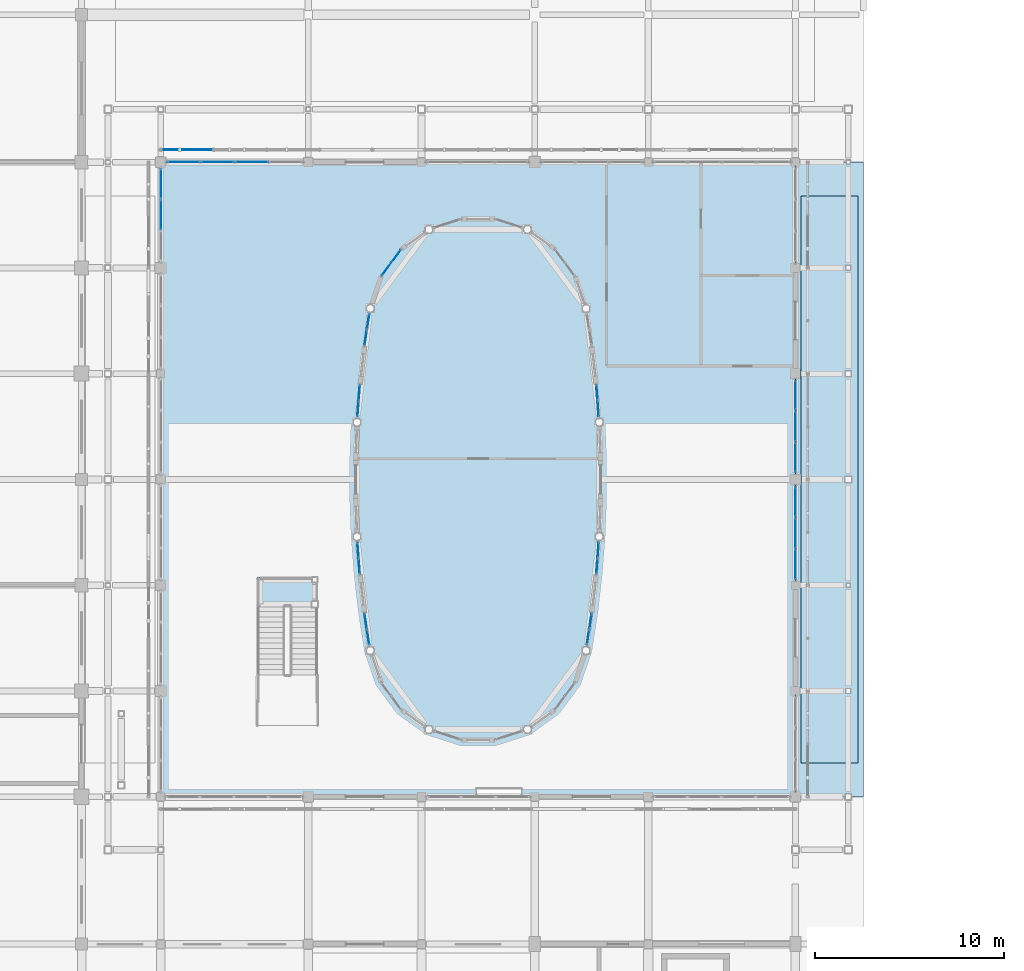
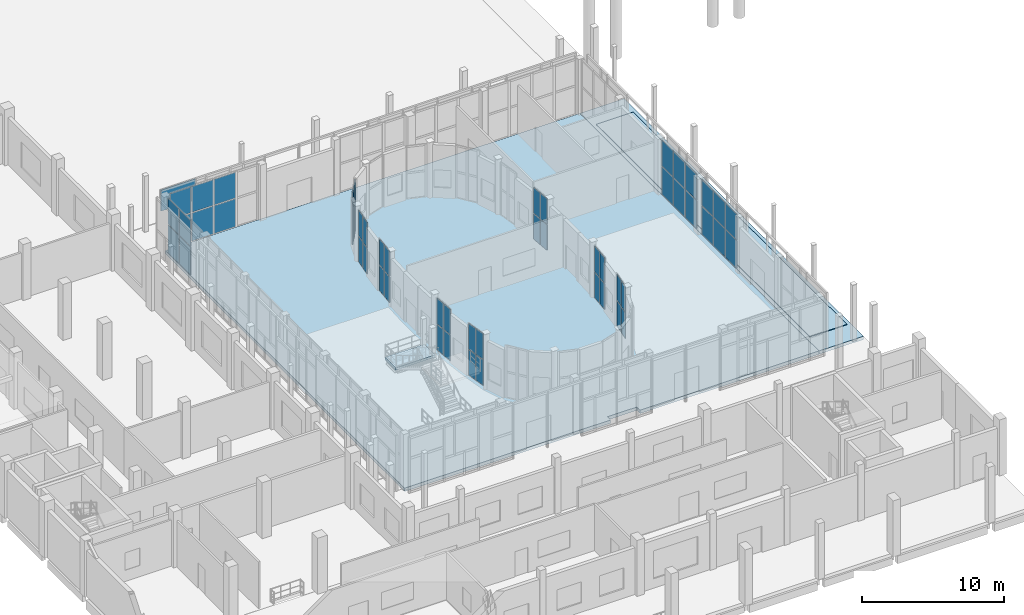
# One storey, part 56 of 91: 55 plates, 4 slabs, 13 elements without a shape of their own.
"""IFC4 building model written with IfcOpenShell, lengths in metres."""

from ifc_helpers import new_model, si_unit, direction, frame, origin, origin_2d, place, context, subcontext, project, spatial, polyline, rectangle, outline, extrude, material, layer, layer_set, type_object, element, aggregate, save


model = new_model("IFC4")

# Units and contexts
model_context = context("Model", 3, precision=1e-05, world=origin(), true_north=direction((0.0, 1.0)))
body_context = subcontext(model_context, "Body", "Model", "MODEL_VIEW")
ifc_project = project(units=[si_unit("LENGTHUNIT", "METRE"), si_unit("AREAUNIT", "SQUARE_METRE"), si_unit("VOLUMEUNIT", "CUBIC_METRE"), si_unit("PLANEANGLEUNIT", "RADIAN"), si_unit("MASSUNIT", "GRAM", prefix="KILO")], contexts=[model_context])

# Site, building, storey
site_placement = place(None, origin())
site = spatial("IfcSite", under=ifc_project, at=site_placement, CompositionType="ELEMENT")
building_placement = place(site_placement, origin())
building = spatial("IfcBuilding", under=site, at=building_placement, Name="Vinh Khe Railworks Police Headquarters", CompositionType="ELEMENT")
storey_placement = place(building_placement, origin())
storey = spatial("IfcBuildingStorey", under=building, at=storey_placement, Name="L00", CompositionType="ELEMENT", Elevation=0.0)

# Curtain wall, plates
ifc_material_1 = material(Name="Anodised aluminium and acoustic laminated glass", Category="aluminium")
ifc_layer_1 = layer(ifc_material_1, 0.159912109375)
ifc_layer_set_1 = layer_set([ifc_layer_1], Name="Anodised aluminium and acoustic laminated glass")
curtain_wall_type_1 = type_object("IfcCurtainWallType", Name="CW-DRUM-CHORD", PredefinedType="USERDEFINED", material=ifc_layer_set_1)
curtain_wall_1_placement = place(storey_placement, origin())
curtain_wall_1 = element("IfcCurtainWall", 1, at=curtain_wall_1_placement, inside=storey, type_object=curtain_wall_type_1, Name="Elliptical Command Drum Glazing L00 Chord 1", ObjectType="DRUM FACADE GLAZING", PredefinedType="USERDEFINED")
ifc_material_2 = material(Name="Acoustic laminated solar-control glass", Category="glass")
ifc_layer_2 = layer(ifc_material_2, 0.031982421875)
ifc_layer_set_2 = layer_set([ifc_layer_2], Name="Acoustic laminated solar-control glass")
plate_type_1 = type_object("IfcPlateType", Name="PAN-DRUM-32", PredefinedType="CURTAIN_PANEL", material=ifc_layer_set_2)
plate_1_placement = place(storey_placement, frame((49.021728515625, 33.64404296875, 0.06494140625), z_axis=(0.0, 0.0, 1.0), x_axis=(0.153491365117, 0.988149989037, 0.0)))
plate_1 = element("IfcPlate", 2, at=plate_1_placement, type_object=plate_type_1, Name="CW-02 panel 1.1", PredefinedType="CURTAIN_PANEL", context=body_context, shape_type="SweptSolid", body=[
    extrude(rectangle(XDim=0.78955078125, YDim=0.031982421875, at=origin_2d()), origin(), (0.0, 0.0, 1.0), 2.177490234375),
])
plate_2_placement = place(storey_placement, frame((49.021728515625, 33.64404296875, 2.3076171875), z_axis=(0.0, 0.0, 1.0), x_axis=(0.153491365117, 0.988149989037, 0.0)))
plate_2 = element("IfcPlate", 3, at=plate_2_placement, type_object=plate_type_1, Name="CW-02 panel 1.2", PredefinedType="CURTAIN_PANEL", context=body_context, shape_type="SweptSolid", body=[
    extrude(rectangle(XDim=0.78955078125, YDim=0.031982421875, at=origin_2d()), origin(), (0.0, 0.0, 1.0), 2.177490234375),
])
plate_3_placement = place(storey_placement, frame((49.15283203125, 34.48828125, 0.06494140625), z_axis=(0.0, 0.0, 1.0), x_axis=(0.153491365117, 0.988149989037, 0.0)))
plate_3 = element("IfcPlate", 4, at=plate_3_placement, type_object=plate_type_1, Name="CW-02 panel 2.1", PredefinedType="CURTAIN_PANEL", context=body_context, shape_type="SweptSolid", body=[
    extrude(rectangle(XDim=0.78955078125, YDim=0.031982421875, at=origin_2d()), origin(), (0.0, 0.0, 1.0), 2.177490234375),
])
plate_4_placement = place(storey_placement, frame((49.15283203125, 34.48828125, 2.3076171875), z_axis=(0.0, 0.0, 1.0), x_axis=(0.153491365117, 0.988149989037, 0.0)))
plate_4 = element("IfcPlate", 5, at=plate_4_placement, type_object=plate_type_1, Name="CW-02 panel 2.2", PredefinedType="CURTAIN_PANEL", context=body_context, shape_type="SweptSolid", body=[
    extrude(rectangle(XDim=0.78955078125, YDim=0.031982421875, at=origin_2d()), origin(), (0.0, 0.0, 1.0), 2.177490234375),
])
aggregate(curtain_wall_1, [plate_1, plate_2, plate_3, plate_4])

curtain_wall_2_placement = place(storey_placement, origin())
curtain_wall_2 = element("IfcCurtainWall", 6, at=curtain_wall_2_placement, inside=storey, type_object=curtain_wall_type_1, Name="Elliptical Command Drum Glazing L00 Chord 3", ObjectType="DRUM FACADE GLAZING", PredefinedType="USERDEFINED")
plate_5_placement = place(storey_placement, frame((49.4921875, 37.409912109375, 0.06494140625), z_axis=(0.0, 0.0, 1.0), x_axis=(0.076970231448, 0.997033391352, 0.0)))
plate_5 = element("IfcPlate", 7, at=plate_5_placement, type_object=plate_type_1, Name="CW-02 panel 1.1", PredefinedType="CURTAIN_PANEL", context=body_context, shape_type="SweptSolid", body=[
    extrude(rectangle(XDim=0.78955078125, YDim=0.031982421875, at=origin_2d()), origin(), (0.0, 0.0, 1.0), 2.177490234375),
])
plate_6_placement = place(storey_placement, frame((49.4921875, 37.409912109375, 2.3076171875), z_axis=(0.0, 0.0, 1.0), x_axis=(0.076970231448, 0.997033391352, 0.0)))
plate_6 = element("IfcPlate", 8, at=plate_6_placement, type_object=plate_type_1, Name="CW-02 panel 1.2", PredefinedType="CURTAIN_PANEL", context=body_context, shape_type="SweptSolid", body=[
    extrude(rectangle(XDim=0.78955078125, YDim=0.031982421875, at=origin_2d()), origin(), (0.0, 0.0, 1.0), 2.177490234375),
])
plate_7_placement = place(storey_placement, frame((49.557861328125, 38.26171875, 0.06494140625), z_axis=(0.0, 0.0, 1.0), x_axis=(0.076970231448, 0.997033391352, 0.0)))
plate_7 = element("IfcPlate", 9, at=plate_7_placement, type_object=plate_type_1, Name="CW-02 panel 2.1", PredefinedType="CURTAIN_PANEL", context=body_context, shape_type="SweptSolid", body=[
    extrude(rectangle(XDim=0.78955078125, YDim=0.031982421875, at=origin_2d()), origin(), (0.0, 0.0, 1.0), 2.177490234375),
])
plate_8_placement = place(storey_placement, frame((49.557861328125, 38.26171875, 2.3076171875), z_axis=(0.0, 0.0, 1.0), x_axis=(0.076970231448, 0.997033391352, 0.0)))
plate_8 = element("IfcPlate", 10, at=plate_8_placement, type_object=plate_type_1, Name="CW-02 panel 2.2", PredefinedType="CURTAIN_PANEL", context=body_context, shape_type="SweptSolid", body=[
    extrude(rectangle(XDim=0.78955078125, YDim=0.031982421875, at=origin_2d()), origin(), (0.0, 0.0, 1.0), 2.177490234375),
])
aggregate(curtain_wall_2, [plate_5, plate_6, plate_7, plate_8])

curtain_wall_3_placement = place(storey_placement, origin())
curtain_wall_3 = element("IfcCurtainWall", 11, at=curtain_wall_3_placement, inside=storey, type_object=curtain_wall_type_1, Name="Elliptical Command Drum Glazing L00 Chord 7", ObjectType="DRUM FACADE GLAZING", PredefinedType="USERDEFINED")
plate_9_placement = place(storey_placement, frame((49.557861328125, 45.73828125, 0.06494140625), z_axis=(0.0, 0.0, 1.0), x_axis=(-0.076970231448, 0.997033391352, 0.0)))
plate_9 = element("IfcPlate", 12, at=plate_9_placement, type_object=plate_type_1, Name="CW-02 panel 1.1", PredefinedType="CURTAIN_PANEL", context=body_context, shape_type="SweptSolid", body=[
    extrude(rectangle(XDim=0.78955078125, YDim=0.031982421875, at=origin_2d()), origin(), (0.0, 0.0, 1.0), 2.177490234375),
])
plate_10_placement = place(storey_placement, frame((49.557861328125, 45.73828125, 2.3076171875), z_axis=(0.0, 0.0, 1.0), x_axis=(-0.076970231448, 0.997033391352, 0.0)))
plate_10 = element("IfcPlate", 13, at=plate_10_placement, type_object=plate_type_1, Name="CW-02 panel 1.2", PredefinedType="CURTAIN_PANEL", context=body_context, shape_type="SweptSolid", body=[
    extrude(rectangle(XDim=0.78955078125, YDim=0.031982421875, at=origin_2d()), origin(), (0.0, 0.0, 1.0), 2.177490234375),
])
plate_11_placement = place(storey_placement, frame((49.4921875, 46.590087890625, 0.06494140625), z_axis=(0.0, 0.0, 1.0), x_axis=(-0.076970231448, 0.997033391352, 0.0)))
plate_11 = element("IfcPlate", 14, at=plate_11_placement, type_object=plate_type_1, Name="CW-02 panel 2.1", PredefinedType="CURTAIN_PANEL", context=body_context, shape_type="SweptSolid", body=[
    extrude(rectangle(XDim=0.78955078125, YDim=0.031982421875, at=origin_2d()), origin(), (0.0, 0.0, 1.0), 2.177490234375),
])
plate_12_placement = place(storey_placement, frame((49.4921875, 46.590087890625, 2.3076171875), z_axis=(0.0, 0.0, 1.0), x_axis=(-0.076970231448, 0.997033391352, 0.0)))
plate_12 = element("IfcPlate", 15, at=plate_12_placement, type_object=plate_type_1, Name="CW-02 panel 2.2", PredefinedType="CURTAIN_PANEL", context=body_context, shape_type="SweptSolid", body=[
    extrude(rectangle(XDim=0.78955078125, YDim=0.031982421875, at=origin_2d()), origin(), (0.0, 0.0, 1.0), 2.177490234375),
])
aggregate(curtain_wall_3, [plate_9, plate_10, plate_11, plate_12])

curtain_wall_4_placement = place(storey_placement, origin())
curtain_wall_4 = element("IfcCurtainWall", 16, at=curtain_wall_4_placement, inside=storey, type_object=curtain_wall_type_1, Name="Elliptical Command Drum Glazing L00 Chord 17", ObjectType="DRUM FACADE GLAZING", PredefinedType="USERDEFINED")
plate_13_placement = place(storey_placement, frame((38.85888671875, 53.820556640625, 0.06494140625), z_axis=(0.0, 0.0, 1.0), x_axis=(-0.596528425784, -0.802591949394, 0.0)))
plate_13 = element("IfcPlate", 17, at=plate_13_placement, type_object=plate_type_1, Name="CW-02 panel 1.1", PredefinedType="CURTAIN_PANEL", context=body_context, shape_type="SweptSolid", body=[
    extrude(rectangle(XDim=0.799560546875, YDim=0.031982421875, at=origin_2d()), origin(), (0.0, 0.0, 1.0), 2.177490234375),
])
plate_14_placement = place(storey_placement, frame((38.85888671875, 53.820556640625, 2.3076171875), z_axis=(0.0, 0.0, 1.0), x_axis=(-0.596528425784, -0.802591949394, 0.0)))
plate_14 = element("IfcPlate", 18, at=plate_14_placement, type_object=plate_type_1, Name="CW-02 panel 1.2", PredefinedType="CURTAIN_PANEL", context=body_context, shape_type="SweptSolid", body=[
    extrude(rectangle(XDim=0.799560546875, YDim=0.031982421875, at=origin_2d()), origin(), (0.0, 0.0, 1.0), 2.177490234375),
])
plate_15_placement = place(storey_placement, frame((38.34326171875, 53.126708984375, 0.06494140625), z_axis=(0.0, 0.0, 1.0), x_axis=(-0.596528425784, -0.802591949394, 0.0)))
plate_15 = element("IfcPlate", 19, at=plate_15_placement, type_object=plate_type_1, Name="CW-02 panel 2.1", PredefinedType="CURTAIN_PANEL", context=body_context, shape_type="SweptSolid", body=[
    extrude(rectangle(XDim=0.799560546875, YDim=0.031982421875, at=origin_2d()), origin(), (0.0, 0.0, 1.0), 2.177490234375),
])
plate_16_placement = place(storey_placement, frame((38.34326171875, 53.126708984375, 2.3076171875), z_axis=(0.0, 0.0, 1.0), x_axis=(-0.596528425784, -0.802591949394, 0.0)))
plate_16 = element("IfcPlate", 20, at=plate_16_placement, type_object=plate_type_1, Name="CW-02 panel 2.2", PredefinedType="CURTAIN_PANEL", context=body_context, shape_type="SweptSolid", body=[
    extrude(rectangle(XDim=0.799560546875, YDim=0.031982421875, at=origin_2d()), origin(), (0.0, 0.0, 1.0), 2.177490234375),
])
aggregate(curtain_wall_4, [plate_13, plate_14, plate_15, plate_16])

curtain_wall_5_placement = place(storey_placement, origin())
curtain_wall_5 = element("IfcCurtainWall", 21, at=curtain_wall_5_placement, inside=storey, type_object=curtain_wall_type_1, Name="Elliptical Command Drum Glazing L00 Chord 19", ObjectType="DRUM FACADE GLAZING", PredefinedType="USERDEFINED")
plate_17_placement = place(storey_placement, frame((37.378173828125, 50.35595703125, 0.06494140625), z_axis=(0.0, 0.0, 1.0), x_axis=(-0.153491365117, -0.988149989037, 0.0)))
plate_17 = element("IfcPlate", 22, at=plate_17_placement, type_object=plate_type_1, Name="CW-02 panel 1.1", PredefinedType="CURTAIN_PANEL", context=body_context, shape_type="SweptSolid", body=[
    extrude(rectangle(XDim=0.78955078125, YDim=0.031982421875, at=origin_2d()), origin(), (0.0, 0.0, 1.0), 2.177490234375),
])
plate_18_placement = place(storey_placement, frame((37.378173828125, 50.35595703125, 2.3076171875), z_axis=(0.0, 0.0, 1.0), x_axis=(-0.153491365117, -0.988149989037, 0.0)))
plate_18 = element("IfcPlate", 23, at=plate_18_placement, type_object=plate_type_1, Name="CW-02 panel 1.2", PredefinedType="CURTAIN_PANEL", context=body_context, shape_type="SweptSolid", body=[
    extrude(rectangle(XDim=0.78955078125, YDim=0.031982421875, at=origin_2d()), origin(), (0.0, 0.0, 1.0), 2.177490234375),
])
plate_19_placement = place(storey_placement, frame((37.2470703125, 49.51171875, 0.06494140625), z_axis=(0.0, 0.0, 1.0), x_axis=(-0.153491365117, -0.988149989037, 0.0)))
plate_19 = element("IfcPlate", 24, at=plate_19_placement, type_object=plate_type_1, Name="CW-02 panel 2.1", PredefinedType="CURTAIN_PANEL", context=body_context, shape_type="SweptSolid", body=[
    extrude(rectangle(XDim=0.78955078125, YDim=0.031982421875, at=origin_2d()), origin(), (0.0, 0.0, 1.0), 2.177490234375),
])
plate_20_placement = place(storey_placement, frame((37.2470703125, 49.51171875, 2.3076171875), z_axis=(0.0, 0.0, 1.0), x_axis=(-0.153491365117, -0.988149989037, 0.0)))
plate_20 = element("IfcPlate", 25, at=plate_20_placement, type_object=plate_type_1, Name="CW-02 panel 2.2", PredefinedType="CURTAIN_PANEL", context=body_context, shape_type="SweptSolid", body=[
    extrude(rectangle(XDim=0.78955078125, YDim=0.031982421875, at=origin_2d()), origin(), (0.0, 0.0, 1.0), 2.177490234375),
])
aggregate(curtain_wall_5, [plate_17, plate_18, plate_19, plate_20])

curtain_wall_6_placement = place(storey_placement, origin())
curtain_wall_6 = element("IfcCurtainWall", 26, at=curtain_wall_6_placement, inside=storey, type_object=curtain_wall_type_1, Name="Elliptical Command Drum Glazing L00 Chord 21", ObjectType="DRUM FACADE GLAZING", PredefinedType="USERDEFINED")
plate_21_placement = place(storey_placement, frame((36.907958984375, 46.590087890625, 0.06494140625), z_axis=(0.0, 0.0, 1.0), x_axis=(-0.076970231448, -0.997033391352, 0.0)))
plate_21 = element("IfcPlate", 27, at=plate_21_placement, type_object=plate_type_1, Name="CW-02 panel 1.1", PredefinedType="CURTAIN_PANEL", context=body_context, shape_type="SweptSolid", body=[
    extrude(rectangle(XDim=0.78955078125, YDim=0.031982421875, at=origin_2d()), origin(), (0.0, 0.0, 1.0), 2.177490234375),
])
plate_22_placement = place(storey_placement, frame((36.907958984375, 46.590087890625, 2.3076171875), z_axis=(0.0, 0.0, 1.0), x_axis=(-0.076970231448, -0.997033391352, 0.0)))
plate_22 = element("IfcPlate", 28, at=plate_22_placement, type_object=plate_type_1, Name="CW-02 panel 1.2", PredefinedType="CURTAIN_PANEL", context=body_context, shape_type="SweptSolid", body=[
    extrude(rectangle(XDim=0.78955078125, YDim=0.031982421875, at=origin_2d()), origin(), (0.0, 0.0, 1.0), 2.177490234375),
])
plate_23_placement = place(storey_placement, frame((36.842041015625, 45.73828125, 0.06494140625), z_axis=(0.0, 0.0, 1.0), x_axis=(-0.076970231448, -0.997033391352, 0.0)))
plate_23 = element("IfcPlate", 29, at=plate_23_placement, type_object=plate_type_1, Name="CW-02 panel 2.1", PredefinedType="CURTAIN_PANEL", context=body_context, shape_type="SweptSolid", body=[
    extrude(rectangle(XDim=0.78955078125, YDim=0.031982421875, at=origin_2d()), origin(), (0.0, 0.0, 1.0), 2.177490234375),
])
plate_24_placement = place(storey_placement, frame((36.842041015625, 45.73828125, 2.3076171875), z_axis=(0.0, 0.0, 1.0), x_axis=(-0.076970231448, -0.997033391352, 0.0)))
plate_24 = element("IfcPlate", 30, at=plate_24_placement, type_object=plate_type_1, Name="CW-02 panel 2.2", PredefinedType="CURTAIN_PANEL", context=body_context, shape_type="SweptSolid", body=[
    extrude(rectangle(XDim=0.78955078125, YDim=0.031982421875, at=origin_2d()), origin(), (0.0, 0.0, 1.0), 2.177490234375),
])
aggregate(curtain_wall_6, [plate_21, plate_22, plate_23, plate_24])

curtain_wall_7_placement = place(storey_placement, origin())
curtain_wall_7 = element("IfcCurtainWall", 31, at=curtain_wall_7_placement, inside=storey, type_object=curtain_wall_type_1, Name="Elliptical Command Drum Glazing L00 Chord 25", ObjectType="DRUM FACADE GLAZING", PredefinedType="USERDEFINED")
plate_25_placement = place(storey_placement, frame((36.842041015625, 38.26171875, 0.06494140625), z_axis=(0.0, 0.0, 1.0), x_axis=(0.076970231448, -0.997033391352, 0.0)))
plate_25 = element("IfcPlate", 32, at=plate_25_placement, type_object=plate_type_1, Name="CW-02 panel 1.1", PredefinedType="CURTAIN_PANEL", context=body_context, shape_type="SweptSolid", body=[
    extrude(rectangle(XDim=0.78955078125, YDim=0.031982421875, at=origin_2d()), origin(), (0.0, 0.0, 1.0), 2.177490234375),
])
plate_26_placement = place(storey_placement, frame((36.842041015625, 38.26171875, 2.3076171875), z_axis=(0.0, 0.0, 1.0), x_axis=(0.076970231448, -0.997033391352, 0.0)))
plate_26 = element("IfcPlate", 33, at=plate_26_placement, type_object=plate_type_1, Name="CW-02 panel 1.2", PredefinedType="CURTAIN_PANEL", context=body_context, shape_type="SweptSolid", body=[
    extrude(rectangle(XDim=0.78955078125, YDim=0.031982421875, at=origin_2d()), origin(), (0.0, 0.0, 1.0), 2.177490234375),
])
plate_27_placement = place(storey_placement, frame((36.907958984375, 37.409912109375, 0.06494140625), z_axis=(0.0, 0.0, 1.0), x_axis=(0.076970231448, -0.997033391352, 0.0)))
plate_27 = element("IfcPlate", 34, at=plate_27_placement, type_object=plate_type_1, Name="CW-02 panel 2.1", PredefinedType="CURTAIN_PANEL", context=body_context, shape_type="SweptSolid", body=[
    extrude(rectangle(XDim=0.78955078125, YDim=0.031982421875, at=origin_2d()), origin(), (0.0, 0.0, 1.0), 2.177490234375),
])
plate_28_placement = place(storey_placement, frame((36.907958984375, 37.409912109375, 2.3076171875), z_axis=(0.0, 0.0, 1.0), x_axis=(0.076970231448, -0.997033391352, 0.0)))
plate_28 = element("IfcPlate", 35, at=plate_28_placement, type_object=plate_type_1, Name="CW-02 panel 2.2", PredefinedType="CURTAIN_PANEL", context=body_context, shape_type="SweptSolid", body=[
    extrude(rectangle(XDim=0.78955078125, YDim=0.031982421875, at=origin_2d()), origin(), (0.0, 0.0, 1.0), 2.177490234375),
])
aggregate(curtain_wall_7, [plate_25, plate_26, plate_27, plate_28])

curtain_wall_8_placement = place(storey_placement, origin())
curtain_wall_8 = element("IfcCurtainWall", 36, at=curtain_wall_8_placement, inside=storey, type_object=curtain_wall_type_1, Name="Elliptical Command Drum Glazing L00 Chord 27", ObjectType="DRUM FACADE GLAZING", PredefinedType="USERDEFINED")
plate_29_placement = place(storey_placement, frame((37.2470703125, 34.48828125, 0.06494140625), z_axis=(0.0, 0.0, 1.0), x_axis=(0.153491365117, -0.988149989037, 0.0)))
plate_29 = element("IfcPlate", 37, at=plate_29_placement, type_object=plate_type_1, Name="CW-02 panel 1.1", PredefinedType="CURTAIN_PANEL", context=body_context, shape_type="SweptSolid", body=[
    extrude(rectangle(XDim=0.78955078125, YDim=0.031982421875, at=origin_2d()), origin(), (0.0, 0.0, 1.0), 2.177490234375),
])
plate_30_placement = place(storey_placement, frame((37.2470703125, 34.48828125, 2.3076171875), z_axis=(0.0, 0.0, 1.0), x_axis=(0.153491365117, -0.988149989037, 0.0)))
plate_30 = element("IfcPlate", 38, at=plate_30_placement, type_object=plate_type_1, Name="CW-02 panel 1.2", PredefinedType="CURTAIN_PANEL", context=body_context, shape_type="SweptSolid", body=[
    extrude(rectangle(XDim=0.78955078125, YDim=0.031982421875, at=origin_2d()), origin(), (0.0, 0.0, 1.0), 2.177490234375),
])
plate_31_placement = place(storey_placement, frame((37.378173828125, 33.64404296875, 0.06494140625), z_axis=(0.0, 0.0, 1.0), x_axis=(0.153491365117, -0.988149989037, 0.0)))
plate_31 = element("IfcPlate", 39, at=plate_31_placement, type_object=plate_type_1, Name="CW-02 panel 2.1", PredefinedType="CURTAIN_PANEL", context=body_context, shape_type="SweptSolid", body=[
    extrude(rectangle(XDim=0.78955078125, YDim=0.031982421875, at=origin_2d()), origin(), (0.0, 0.0, 1.0), 2.177490234375),
])
plate_32_placement = place(storey_placement, frame((37.378173828125, 33.64404296875, 2.3076171875), z_axis=(0.0, 0.0, 1.0), x_axis=(0.153491365117, -0.988149989037, 0.0)))
plate_32 = element("IfcPlate", 40, at=plate_32_placement, type_object=plate_type_1, Name="CW-02 panel 2.2", PredefinedType="CURTAIN_PANEL", context=body_context, shape_type="SweptSolid", body=[
    extrude(rectangle(XDim=0.78955078125, YDim=0.031982421875, at=origin_2d()), origin(), (0.0, 0.0, 1.0), 2.177490234375),
])
aggregate(curtain_wall_8, [plate_29, plate_30, plate_31, plate_32])

ifc_material_3 = material(Name="Anodised aluminium and low-iron glass", Category="aluminium")
ifc_layer_3 = layer(ifc_material_3, 0.179931640625)
ifc_layer_set_3 = layer_set([ifc_layer_3], Name="Anodised aluminium and low-iron glass")
curtain_wall_type_2 = type_object("IfcCurtainWallType", Name="CW-CUBE-UNIT", PredefinedType="USERDEFINED", material=ifc_layer_set_3)
curtain_wall_9_placement = place(storey_placement, origin())
curtain_wall_9 = element("IfcCurtainWall", 41, at=curtain_wall_9_placement, inside=storey, type_object=curtain_wall_type_2, Name="Entrance Hall Curtain Wall L00 N-1", ObjectType="UNITISED GLAZING", PredefinedType="USERDEFINED")
ifc_material_4 = material(Name="Low-iron laminated solar-control glass", Category="glass")
ifc_layer_4 = layer(ifc_material_4, 0.028076171875)
ifc_layer_set_4 = layer_set([ifc_layer_4], Name="Low-iron laminated solar-control glass")
plate_type_2 = type_object("IfcPlateType", Name="PAN-GLZ-28", PredefinedType="CURTAIN_PANEL", material=ifc_layer_set_4)
plate_33_placement = place(storey_placement, frame((27.616943359375, 58.800048828125, 0.06982421875), z_axis=(0.0, 0.0, 1.0), x_axis=(1.0, 0.0, 0.0)))
plate_33 = element("IfcPlate", 42, at=plate_33_placement, type_object=plate_type_2, Name="CW-01 panel 1.1", PredefinedType="CURTAIN_PANEL", context=body_context, shape_type="SweptSolid", body=[
    extrude(rectangle(XDim=1.703857421875, YDim=0.028076171875, at=origin_2d()), origin(), (0.0, 0.0, 1.0), 2.39111328125),
])
plate_34_placement = place(storey_placement, frame((27.616943359375, 58.800048828125, 2.53125), z_axis=(0.0, 0.0, 1.0), x_axis=(1.0, 0.0, 0.0)))
plate_34 = element("IfcPlate", 43, at=plate_34_placement, type_object=plate_type_2, Name="CW-01 panel 1.2", PredefinedType="CURTAIN_PANEL", context=body_context, shape_type="SweptSolid", body=[
    extrude(rectangle(XDim=1.703857421875, YDim=0.028076171875, at=origin_2d()), origin(), (0.0, 0.0, 1.0), 2.198974609375),
])
plate_35_placement = place(storey_placement, frame((29.408203125, 58.800048828125, 0.06982421875), z_axis=(0.0, 0.0, 1.0), x_axis=(1.0, 0.0, 0.0)))
plate_35 = element("IfcPlate", 44, at=plate_35_placement, type_object=plate_type_2, Name="CW-01 panel 2.1", PredefinedType="CURTAIN_PANEL", context=body_context, shape_type="SweptSolid", body=[
    extrude(rectangle(XDim=1.73876953125, YDim=0.028076171875, at=origin_2d()), origin(), (0.0, 0.0, 1.0), 2.39111328125),
])
plate_36_placement = place(storey_placement, frame((29.408203125, 58.800048828125, 2.53125), z_axis=(0.0, 0.0, 1.0), x_axis=(1.0, 0.0, 0.0)))
plate_36 = element("IfcPlate", 45, at=plate_36_placement, type_object=plate_type_2, Name="CW-01 panel 2.2", PredefinedType="CURTAIN_PANEL", context=body_context, shape_type="SweptSolid", body=[
    extrude(rectangle(XDim=1.73876953125, YDim=0.028076171875, at=origin_2d()), origin(), (0.0, 0.0, 1.0), 2.198974609375),
])
plate_37_placement = place(storey_placement, frame((31.216796875, 58.800048828125, 0.06982421875), z_axis=(0.0, 0.0, 1.0), x_axis=(1.0, 0.0, 0.0)))
plate_37 = element("IfcPlate", 46, at=plate_37_placement, type_object=plate_type_2, Name="CW-01 panel 3.1", PredefinedType="CURTAIN_PANEL", context=body_context, shape_type="SweptSolid", body=[
    extrude(rectangle(XDim=1.73876953125, YDim=0.028076171875, at=origin_2d()), origin(), (0.0, 0.0, 1.0), 2.39111328125),
])
plate_38_placement = place(storey_placement, frame((31.216796875, 58.800048828125, 2.53125), z_axis=(0.0, 0.0, 1.0), x_axis=(1.0, 0.0, 0.0)))
plate_38 = element("IfcPlate", 47, at=plate_38_placement, type_object=plate_type_2, Name="CW-01 panel 3.2", PredefinedType="CURTAIN_PANEL", context=body_context, shape_type="SweptSolid", body=[
    extrude(rectangle(XDim=1.73876953125, YDim=0.028076171875, at=origin_2d()), origin(), (0.0, 0.0, 1.0), 2.198974609375),
])
aggregate(curtain_wall_9, [plate_33, plate_34, plate_35, plate_36, plate_37, plate_38])

curtain_wall_10_placement = place(storey_placement, origin())
curtain_wall_10 = element("IfcCurtainWall", 48, at=curtain_wall_10_placement, inside=storey, type_object=curtain_wall_type_2, Name="Entrance Hall Curtain Wall L00 E-3", ObjectType="UNITISED GLAZING", PredefinedType="USERDEFINED")
plate_39_placement = place(storey_placement, frame((60.0, 37.501708984375, 0.06982421875), z_axis=(0.0, 0.0, 1.0), x_axis=(0.0, 1.0, 0.0)))
plate_39 = element("IfcPlate", 49, at=plate_39_placement, type_object=plate_type_2, Name="CW-01 panel 1.1", PredefinedType="CURTAIN_PANEL", context=body_context, shape_type="SweptSolid", body=[
    extrude(rectangle(XDim=1.5732421875, YDim=0.028076171875, at=origin_2d()), origin(), (0.0, 0.0, 1.0), 2.39111328125),
])
plate_40_placement = place(storey_placement, frame((60.0, 37.501708984375, 2.53125), z_axis=(0.0, 0.0, 1.0), x_axis=(0.0, 1.0, 0.0)))
plate_40 = element("IfcPlate", 50, at=plate_40_placement, type_object=plate_type_2, Name="CW-01 panel 1.2", PredefinedType="CURTAIN_PANEL", context=body_context, shape_type="SweptSolid", body=[
    extrude(rectangle(XDim=1.5732421875, YDim=0.028076171875, at=origin_2d()), origin(), (0.0, 0.0, 1.0), 2.198974609375),
])
plate_41_placement = place(storey_placement, frame((60.0, 39.16259765625, 0.06982421875), z_axis=(0.0, 0.0, 1.0), x_axis=(0.0, 1.0, 0.0)))
plate_41 = element("IfcPlate", 51, at=plate_41_placement, type_object=plate_type_2, Name="CW-01 panel 2.1", PredefinedType="CURTAIN_PANEL", context=body_context, shape_type="SweptSolid", body=[
    extrude(rectangle(XDim=1.6083984375, YDim=0.028076171875, at=origin_2d()), origin(), (0.0, 0.0, 1.0), 2.39111328125),
])
plate_42_placement = place(storey_placement, frame((60.0, 39.16259765625, 2.53125), z_axis=(0.0, 0.0, 1.0), x_axis=(0.0, 1.0, 0.0)))
plate_42 = element("IfcPlate", 52, at=plate_42_placement, type_object=plate_type_2, Name="CW-01 panel 2.2", PredefinedType="CURTAIN_PANEL", context=body_context, shape_type="SweptSolid", body=[
    extrude(rectangle(XDim=1.6083984375, YDim=0.028076171875, at=origin_2d()), origin(), (0.0, 0.0, 1.0), 2.198974609375),
])
plate_43_placement = place(storey_placement, frame((60.0, 40.8232421875, 0.06982421875), z_axis=(0.0, 0.0, 1.0), x_axis=(0.0, 1.0, 0.0)))
plate_43 = element("IfcPlate", 53, at=plate_43_placement, type_object=plate_type_2, Name="CW-01 panel 3.1", PredefinedType="CURTAIN_PANEL", context=body_context, shape_type="SweptSolid", body=[
    extrude(rectangle(XDim=1.5732421875, YDim=0.028076171875, at=origin_2d()), origin(), (0.0, 0.0, 1.0), 2.39111328125),
])
plate_44_placement = place(storey_placement, frame((60.0, 40.8232421875, 2.53125), z_axis=(0.0, 0.0, 1.0), x_axis=(0.0, 1.0, 0.0)))
plate_44 = element("IfcPlate", 54, at=plate_44_placement, type_object=plate_type_2, Name="CW-01 panel 3.2", PredefinedType="CURTAIN_PANEL", context=body_context, shape_type="SweptSolid", body=[
    extrude(rectangle(XDim=1.5732421875, YDim=0.028076171875, at=origin_2d()), origin(), (0.0, 0.0, 1.0), 2.198974609375),
])
aggregate(curtain_wall_10, [plate_39, plate_40, plate_41, plate_42, plate_43, plate_44])

curtain_wall_11_placement = place(storey_placement, origin())
curtain_wall_11 = element("IfcCurtainWall", 55, at=curtain_wall_11_placement, inside=storey, type_object=curtain_wall_type_2, Name="Entrance Hall Curtain Wall L00 E-4", ObjectType="UNITISED GLAZING", PredefinedType="USERDEFINED")
plate_45_placement = place(storey_placement, frame((60.0, 43.168212890625, 0.06982421875), z_axis=(0.0, 0.0, 1.0), x_axis=(0.0, 1.0, 0.0)))
plate_45 = element("IfcPlate", 56, at=plate_45_placement, type_object=plate_type_2, Name="CW-01 panel 1.1", PredefinedType="CURTAIN_PANEL", context=body_context, shape_type="SweptSolid", body=[
    extrude(rectangle(XDim=1.556640625, YDim=0.028076171875, at=origin_2d()), origin(), (0.0, 0.0, 1.0), 2.39111328125),
])
plate_46_placement = place(storey_placement, frame((60.0, 43.168212890625, 2.53125), z_axis=(0.0, 0.0, 1.0), x_axis=(0.0, 1.0, 0.0)))
plate_46 = element("IfcPlate", 57, at=plate_46_placement, type_object=plate_type_2, Name="CW-01 panel 1.2", PredefinedType="CURTAIN_PANEL", context=body_context, shape_type="SweptSolid", body=[
    extrude(rectangle(XDim=1.556640625, YDim=0.028076171875, at=origin_2d()), origin(), (0.0, 0.0, 1.0), 2.198974609375),
])
plate_47_placement = place(storey_placement, frame((60.0, 44.8125, 0.06982421875), z_axis=(0.0, 0.0, 1.0), x_axis=(0.0, 1.0, 0.0)))
plate_47 = element("IfcPlate", 58, at=plate_47_placement, type_object=plate_type_2, Name="CW-01 panel 2.1", PredefinedType="CURTAIN_PANEL", context=body_context, shape_type="SweptSolid", body=[
    extrude(rectangle(XDim=1.591552734375, YDim=0.028076171875, at=origin_2d()), origin(), (0.0, 0.0, 1.0), 2.39111328125),
])
plate_48_placement = place(storey_placement, frame((60.0, 44.8125, 2.53125), z_axis=(0.0, 0.0, 1.0), x_axis=(0.0, 1.0, 0.0)))
plate_48 = element("IfcPlate", 59, at=plate_48_placement, type_object=plate_type_2, Name="CW-01 panel 2.2", PredefinedType="CURTAIN_PANEL", context=body_context, shape_type="SweptSolid", body=[
    extrude(rectangle(XDim=1.591552734375, YDim=0.028076171875, at=origin_2d()), origin(), (0.0, 0.0, 1.0), 2.198974609375),
])
plate_49_placement = place(storey_placement, frame((60.0, 46.456787109375, 0.06982421875), z_axis=(0.0, 0.0, 1.0), x_axis=(0.0, 1.0, 0.0)))
plate_49 = element("IfcPlate", 60, at=plate_49_placement, type_object=plate_type_2, Name="CW-01 panel 3.1", PredefinedType="CURTAIN_PANEL", context=body_context, shape_type="SweptSolid", body=[
    extrude(rectangle(XDim=1.556640625, YDim=0.028076171875, at=origin_2d()), origin(), (0.0, 0.0, 1.0), 2.39111328125),
])
plate_50_placement = place(storey_placement, frame((60.0, 46.456787109375, 2.53125), z_axis=(0.0, 0.0, 1.0), x_axis=(0.0, 1.0, 0.0)))
plate_50 = element("IfcPlate", 61, at=plate_50_placement, type_object=plate_type_2, Name="CW-01 panel 3.2", PredefinedType="CURTAIN_PANEL", context=body_context, shape_type="SweptSolid", body=[
    extrude(rectangle(XDim=1.556640625, YDim=0.028076171875, at=origin_2d()), origin(), (0.0, 0.0, 1.0), 2.198974609375),
])
aggregate(curtain_wall_11, [plate_45, plate_46, plate_47, plate_48, plate_49, plate_50])

curtain_wall_12_placement = place(storey_placement, origin())
curtain_wall_12 = element("IfcCurtainWall", 62, at=curtain_wall_12_placement, inside=storey, type_object=curtain_wall_type_2, Name="Entrance Hall Curtain Wall L00 W-6", ObjectType="UNITISED GLAZING", PredefinedType="USERDEFINED")
plate_51_placement = place(storey_placement, frame((26.39990234375, 56.012451171875, 0.06982421875), z_axis=(0.0, 0.0, 1.0), x_axis=(0.0, 1.0, 0.0)))
plate_51 = element("IfcPlate", 63, at=plate_51_placement, type_object=plate_type_2, Name="CW-01 panel 2.1", PredefinedType="CURTAIN_PANEL", context=body_context, shape_type="SweptSolid", body=[
    extrude(rectangle(XDim=1.591552734375, YDim=0.028076171875, at=origin_2d()), origin(), (0.0, 0.0, 1.0), 2.39111328125),
])
plate_52_placement = place(storey_placement, frame((26.39990234375, 56.012451171875, 2.53125), z_axis=(0.0, 0.0, 1.0), x_axis=(0.0, 1.0, 0.0)))
plate_52 = element("IfcPlate", 64, at=plate_52_placement, type_object=plate_type_2, Name="CW-01 panel 2.2", PredefinedType="CURTAIN_PANEL", context=body_context, shape_type="SweptSolid", body=[
    extrude(rectangle(XDim=1.591552734375, YDim=0.028076171875, at=origin_2d()), origin(), (0.0, 0.0, 1.0), 2.198974609375),
])
plate_53_placement = place(storey_placement, frame((26.39990234375, 57.65673828125, 0.06982421875), z_axis=(0.0, 0.0, 1.0), x_axis=(0.0, 1.0, 0.0)))
plate_53 = element("IfcPlate", 65, at=plate_53_placement, type_object=plate_type_2, Name="CW-01 panel 3.1", PredefinedType="CURTAIN_PANEL", context=body_context, shape_type="SweptSolid", body=[
    extrude(rectangle(XDim=1.556640625, YDim=0.028076171875, at=origin_2d()), origin(), (0.0, 0.0, 1.0), 2.39111328125),
])
plate_54_placement = place(storey_placement, frame((26.39990234375, 57.65673828125, 2.53125), z_axis=(0.0, 0.0, 1.0), x_axis=(0.0, 1.0, 0.0)))
plate_54 = element("IfcPlate", 66, at=plate_54_placement, type_object=plate_type_2, Name="CW-01 panel 3.2", PredefinedType="CURTAIN_PANEL", context=body_context, shape_type="SweptSolid", body=[
    extrude(rectangle(XDim=1.556640625, YDim=0.028076171875, at=origin_2d()), origin(), (0.0, 0.0, 1.0), 2.198974609375),
])
aggregate(curtain_wall_12, [plate_51, plate_52, plate_53, plate_54])

# Plate
ifc_material_5 = material(Name="Weathered architectural steel", Category="steel")
ifc_layer_5 = layer(ifc_material_5, 0.044921875)
ifc_layer_set_5 = layer_set([ifc_layer_5], Name="Weathered architectural steel")
plate_type_3 = type_object("IfcPlateType", Name="PLT-QP-02", PredefinedType="SHEET", material=ifc_layer_set_5)
plate_55_placement = place(storey_placement, frame((27.800048828125, 59.449951171875, 2.97607421875), z_axis=(0.0, 0.0, 1.0), x_axis=(1.0, 0.0, 0.0)))
element("IfcPlate", 67, at=plate_55_placement, inside=storey, type_object=plate_type_3, Name="Weathered Steel Casement Spandrel N-1", PredefinedType="SHEET", context=body_context, shape_type="SweptSolid", body=[
    extrude(rectangle(XDim=2.800048828125, YDim=0.044921875, at=origin_2d()), origin(), (0.0, 0.0, 1.0), 1.823974609375),
])

# Slab
ifc_material_6 = material(Name="Concrete C35/45 (B35)", Category="concrete")
ifc_layer_6 = layer(ifc_material_6, 0.0400390625)
ifc_layer_set_6 = layer_set([ifc_layer_6], Name="Concrete C35/45 (B35)")
slab_type_1 = type_object("IfcSlabType", Name="SLB-APRON-200", PredefinedType="USERDEFINED", material=ifc_layer_set_6)
slab_1_placement = place(storey_placement, origin())
element("IfcSlab", 68, at=slab_1_placement, inside=storey, type_object=slab_type_1, Name="Exterior Courtyard and Plinth Paving SLB-APRON-COURT-E", ObjectType="PAVING", PredefinedType="USERDEFINED", context=body_context, shape_type="SweptSolid", body=[
    extrude(outline(polyline([(60.300048828125, 27.0), (63.300048828125, 27.0), (63.300048828125, 57.0), (60.300048828125, 57.0), (60.300048828125, 27.0)])), origin(), (0.0, 0.0, 1.0), 0.0400390625),
])

# Stair, slab
ifc_material_7 = material(Name="Steel S355JR", Category="steel")
stair_type = type_object("IfcStairType", Name="ST-HALL-FEATURE", PredefinedType="HALF_TURN_STAIR", material=ifc_material_7)
stair_placement = place(storey_placement, origin())
stair = element("IfcStair", 69, at=stair_placement, inside=storey, type_object=stair_type, Name="L00 Concourse Feature Stair ST-08", PredefinedType="HALF_TURN_STAIR")
ifc_layer_7 = layer(ifc_material_6, 0.199951171875)
ifc_layer_set_7 = layer_set([ifc_layer_7], Name="Concrete C35/45 (B35)")
slab_type_2 = type_object("IfcSlabType", Name="SLB-LAND-200", PredefinedType="LANDING", material=ifc_layer_set_7)
slab_2_placement = place(storey_placement, frame((0.0, 0.0, 2.199951171875)))
slab_2 = element("IfcSlab", 70, at=slab_2_placement, type_object=slab_type_2, Name="ST-08 landing 1", PredefinedType="LANDING", context=body_context, shape_type="SweptSolid", body=[
    extrude(outline(polyline([(34.699951171875, 35.2900390625), (34.699951171875, 36.800048828125), (31.5, 36.800048828125), (31.5, 35.2900390625), (34.699951171875, 35.2900390625)])), origin(), (0.0, 0.0, 1.0), 0.199951171875),
])
aggregate(stair, [slab_2])

# Slabs
ifc_layer_8 = layer(ifc_material_6, 0.280029296875)
ifc_layer_set_8 = layer_set([ifc_layer_8], Name="Concrete C35/45 (B35)")
slab_type_3 = type_object("IfcSlabType", Name="Suspended Floor Slab 280", PredefinedType="FLOOR", material=ifc_layer_set_8)
slab_3_placement = place(storey_placement, frame((0.0, 0.0, -0.280029296875)))
element("IfcSlab", 71, at=slab_3_placement, inside=storey, type_object=slab_type_3, Name="V1 Floor Slab (L00)", PredefinedType="FLOOR", context=body_context, shape_type="SweptSolid", body=[
    extrude(outline(polyline([(26.39990234375, 25.199951171875), (43.10009765625, 25.199951171875), (43.10009765625, 25.64990234375), (45.5, 25.64990234375), (45.5, 25.199951171875), (60.0, 25.199951171875), (60.0, 58.800048828125), (26.39990234375, 58.800048828125), (26.39990234375, 25.199951171875)])), origin(), (0.0, 0.0, 1.0), 0.280029296875),
])
slab_4_placement = place(storey_placement, frame((0.0, 0.0, -0.280029296875)))
element("IfcSlab", 72, at=slab_4_placement, inside=storey, type_object=slab_type_3, Name="COURT-E Floor Slab (L00)", PredefinedType="FLOOR", context=body_context, shape_type="SweptSolid", body=[
    extrude(outline(polyline([(60.0, 25.199951171875), (63.60009765625, 25.199951171875), (63.60009765625, 58.800048828125), (60.0, 58.800048828125), (60.0, 25.199951171875)])), origin(), (0.0, 0.0, 1.0), 0.280029296875),
])

save(model, "model.ifc")
